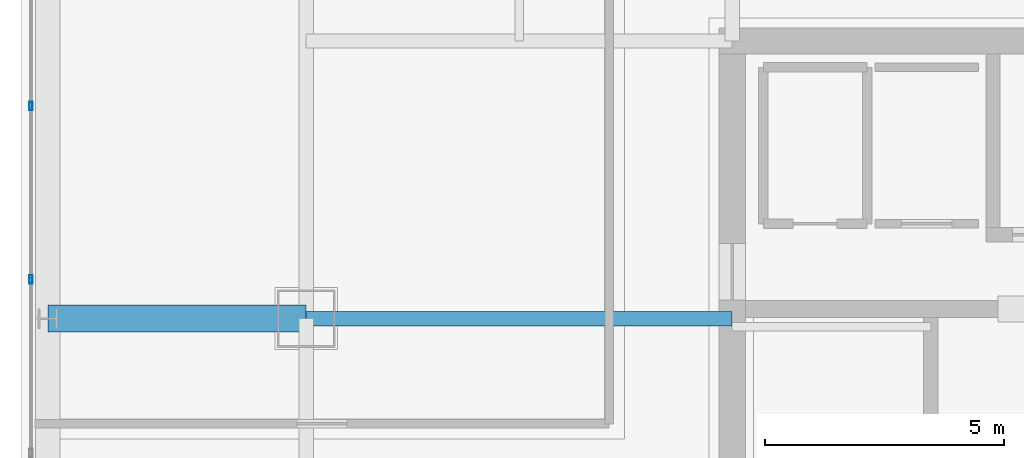
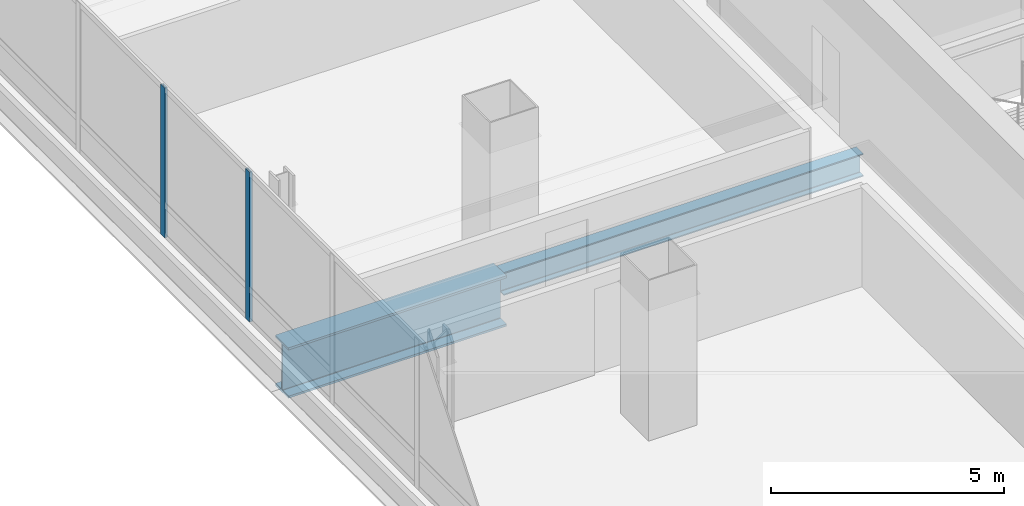
# One storey, part 11 of 51: 2 beams, 2 members, 1 element without a shape of its own.
"""IFC4 building model written with IfcOpenShell, lengths in metres."""

from ifc_helpers import new_model, si_unit, direction, frame, origin, origin_2d, place, context, subcontext, project, spatial, hollow_rectangle, i_section, extrude, material, material_profile, profile_set, type_object, element, aggregate, save


model = new_model("IFC4")

# Units and contexts
model_context = context("Model", 3, precision=1e-05, world=origin(), true_north=direction((0.0, 1.0)))
body_context = subcontext(model_context, "Body", "Model", "MODEL_VIEW")
ifc_project = project(units=[si_unit("LENGTHUNIT", "METRE"), si_unit("AREAUNIT", "SQUARE_METRE"), si_unit("VOLUMEUNIT", "CUBIC_METRE"), si_unit("PLANEANGLEUNIT", "RADIAN"), si_unit("MASSUNIT", "GRAM", prefix="KILO")], contexts=[model_context])

# Site, building, storey
site_placement = place(None, origin())
site = spatial("IfcSite", under=ifc_project, at=site_placement, CompositionType="ELEMENT")
building_placement = place(site_placement, origin())
building = spatial("IfcBuilding", under=site, at=building_placement, Name="Punatoya Terracotta Tower", CompositionType="ELEMENT")
storey_placement = place(building_placement, frame((0.0, 0.0, 313.199951171875)))
storey = spatial("IfcBuildingStorey", under=building, at=storey_placement, Name="L74", CompositionType="ELEMENT", Elevation=313.199951171875)

# Beams
ifc_material_1 = material(Name="Steel S355", Category="steel")
ifc_material_profile_1 = material_profile(ifc_material_1, i_section(OverallWidth=0.300048828125, OverallDepth=0.60009765625, WebThickness=0.015380859375, FlangeThickness=0.030029296875, FilletRadius=0.01806640625, at=origin_2d()))
ifc_profile_set_1 = profile_set([ifc_material_profile_1], Name="Steel S355")
beam_type_1 = type_object("IfcBeamType", Name="BM-PRI-600", PredefinedType="BEAM", material=ifc_profile_set_1)
beam_1_placement = place(storey_placement, frame((-19.10009765625, 3.39990234375, -0.5), z_axis=(1.0, 0.0, 0.0), x_axis=(0.0, 1.0, 0.0)))
element("IfcBeam", 1, at=beam_1_placement, inside=storey, type_object=beam_type_1, Name="BM-L74-PR-WE", PredefinedType="BEAM", context=body_context, shape_type="SweptSolid", body=[
    extrude(i_section(OverallWidth=0.300048828125, OverallDepth=0.60009765625, WebThickness=0.015380859375, FlangeThickness=0.030029296875, FilletRadius=0.01806640625, at=origin_2d()), origin(), (0.0, 0.0, 1.0), 8.900146484375),
])
ifc_material_2 = material(Name="Steel S460", Category="steel")
ifc_material_profile_2 = material_profile(ifc_material_2, i_section(OverallWidth=0.56005859375, OverallDepth=1.320068359375, WebThickness=0.035888671875, FlangeThickness=0.054931640625, FilletRadius=0.01806640625, at=origin_2d()))
ifc_profile_set_2 = profile_set([ifc_material_profile_2], Name="Steel S460")
beam_type_2 = type_object("IfcBeamType", Name="BM-TG-BLK", PredefinedType="BEAM", material=ifc_profile_set_2)
beam_2_placement = place(storey_placement, frame((-24.5, 3.39990234375, -0.85986328125), z_axis=(1.0, 0.0, 0.0), x_axis=(0.0, 1.0, 0.0)))
element("IfcBeam", 2, at=beam_2_placement, inside=storey, type_object=beam_type_2, Name="BM-L74-CANT-W3", PredefinedType="BEAM", context=body_context, shape_type="SweptSolid", body=[
    extrude(i_section(OverallWidth=0.56005859375, OverallDepth=1.320068359375, WebThickness=0.035888671875, FlangeThickness=0.054931640625, FilletRadius=0.01806640625, at=origin_2d()), origin(), (0.0, 0.0, 1.0), 5.39990234375),
])

# Curtain wall, members
ifc_material_3 = material(Name="Aluminium 6063-T6 + Double Low-E Glass", Category="aluminium")
curtain_wall_type = type_object("IfcCurtainWallType", Name="CW-M3", PredefinedType="NOTDEFINED", material=ifc_material_3)
curtain_wall_placement = place(storey_placement, origin())
curtain_wall = element("IfcCurtainWall", 3, at=curtain_wall_placement, inside=storey, type_object=curtain_wall_type, Name="L74 Curtain Wall CW-L74-W13-1", PredefinedType="NOTDEFINED")
ifc_material_4 = material(Name="Aluminium 6063-T6", Category="aluminium")
ifc_material_profile_3 = material_profile(ifc_material_4, hollow_rectangle(XDim=0.070068359375, YDim=0.179931640625, WallThickness=0.00390625, at=origin_2d()))
ifc_profile_set_3 = profile_set([ifc_material_profile_3], Name="Aluminium 6063-T6")
member_type = type_object("IfcMemberType", Name="CW-MUL-M3", PredefinedType="MULLION", material=ifc_profile_set_3)
member_1_placement = place(storey_placement, frame((-24.85009765625, 7.843017578125, 0.0), z_axis=(0.0, 0.0, 1.0), x_axis=(1.0, 0.0, 0.0)))
member_1 = element("IfcMember", 4, at=member_1_placement, type_object=member_type, Name="CW-L74-W13-1 Mullion 02", PredefinedType="MULLION", context=body_context, shape_type="SweptSolid", body=[
    extrude(hollow_rectangle(XDim=0.070068359375, YDim=0.179931640625, WallThickness=0.00390625, at=origin_2d()), origin(), (0.0, 0.0, 1.0), 3.920166015625),
])
member_2_placement = place(storey_placement, frame((-24.85009765625, 4.21435546875, 0.0), z_axis=(0.0, 0.0, 1.0), x_axis=(1.0, 0.0, 0.0)))
member_2 = element("IfcMember", 5, at=member_2_placement, type_object=member_type, Name="CW-L74-W13-1 Mullion 03", PredefinedType="MULLION", context=body_context, shape_type="SweptSolid", body=[
    extrude(hollow_rectangle(XDim=0.070068359375, YDim=0.179931640625, WallThickness=0.00390625, at=origin_2d()), origin(), (0.0, 0.0, 1.0), 3.920166015625),
])
aggregate(curtain_wall, [member_1, member_2])

save(model, "model.ifc")
